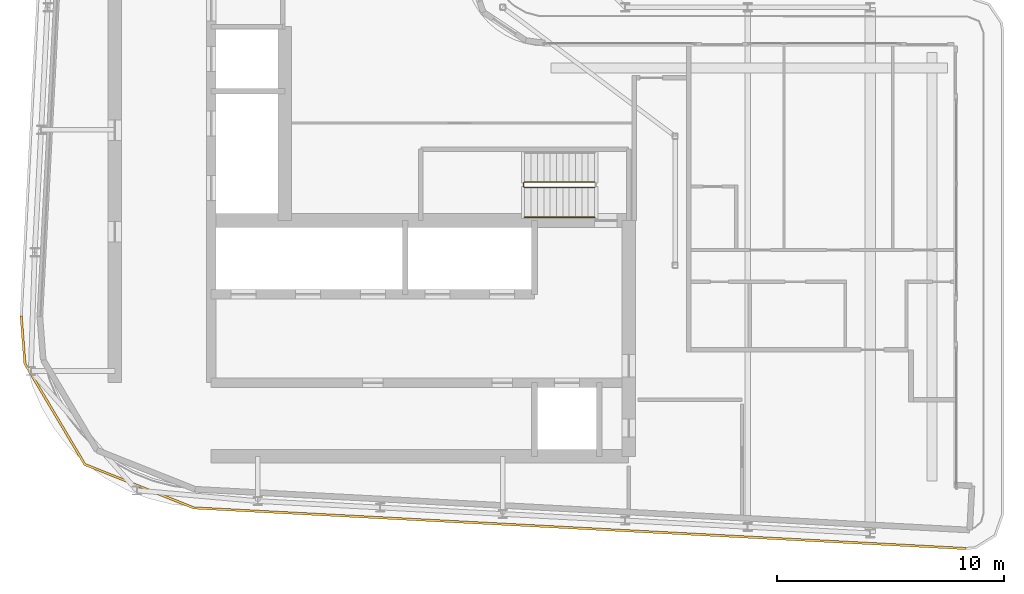
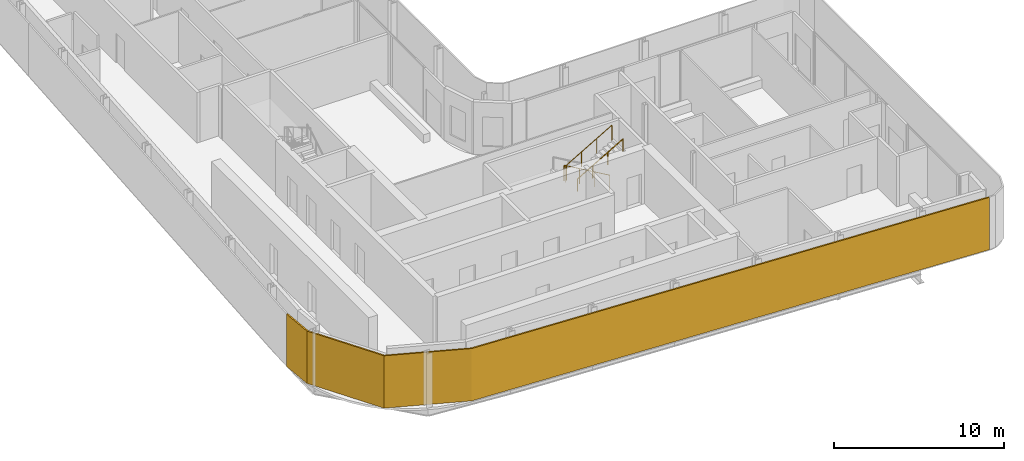
# One storey, part 16 of 21: 2 railings, 1 shading device.
"""IFC4 building model written with IfcOpenShell, lengths in metres."""

import ifcopenshell
import ifcopenshell.guid

model = None  # the IFC model being written
_history = None  # IfcOwnerHistory: only IFC2X3 demands one
_inside = {}  # id of a spatial element -> (the spatial element, [elements in it])
_under = {}  # id of a project, library or spatial element -> (it, [spatial elements below it])
_declared = {}  # id of a project -> (the project, [libraries it declares])
_typed = {}  # id of a type object -> (the type object, [elements of that type])
_made_of = {}  # id of a material, layer set ... -> (it, [elements and type objects made of it])


def new_model(schema):
    """Start an empty IFC model of exactly this schema.

    Asked for "IFC4X3", IfcOpenShell would pick the latest addendum, in which some entities
    have other attributes; the version numbers below select the first issue.
    IFC2X3 requires an IfcOwnerHistory on every rooted entity: one is made here for all.
    """
    global model, _history
    if schema == "IFC4X3":
        model = ifcopenshell.file(schema_version=(4, 3, 0, 0))
    else:
        model = ifcopenshell.file(schema=schema)
    _inside.clear()
    _under.clear()
    _declared.clear()
    _typed.clear()
    _made_of.clear()
    _history = None
    if model.schema == "IFC2X3":
        org = make("IfcOrganization", Name="unknown")
        user = make(
            "IfcPersonAndOrganization",
            ThePerson=make("IfcPerson", FamilyName="unknown"),
            TheOrganization=org,
        )
        app = make(
            "IfcApplication",
            ApplicationDeveloper=org,
            Version="unknown",
            ApplicationFullName="unknown",
            ApplicationIdentifier="unknown",
        )
        _history = make(
            "IfcOwnerHistory",
            OwningUser=user,
            OwningApplication=app,
            ChangeAction="ADDED",
            CreationDate=0,
        )
    return model


def make(cls, **values):
    """One entity of the class cls with the attributes given. An attribute that is None is left unset."""
    return model.create_entity(
        cls, **{name: value for name, value in values.items() if value is not None}
    )


def rooted(cls, **values):
    """An entity with a GlobalId (a new one), such as an element, a storey or a relation."""
    return make(cls, GlobalId=ifcopenshell.guid.new(), OwnerHistory=_history, **values)


def si_unit(unit_type, name, prefix=None):
    """IfcSIUnit, for example si_unit("LENGTHUNIT", "METRE", prefix="MILLI")."""
    return make("IfcSIUnit", UnitType=unit_type, Prefix=prefix, Name=name)


def assignment(units):
    """IfcUnitAssignment: the units of a project."""
    return None if units is None else make("IfcUnitAssignment", Units=units)


def point(xyz):
    """IfcCartesianPoint."""
    return None if xyz is None else make("IfcCartesianPoint", Coordinates=xyz)


def direction(xyz):
    """IfcDirection."""
    return None if xyz is None else make("IfcDirection", DirectionRatios=xyz)


def frame(location, z_axis=None, x_axis=None):
    """IfcAxis2Placement3D, a coordinate frame: its origin and axes. An axis left out is left unset."""
    return make(
        "IfcAxis2Placement3D",
        Location=point(location),
        Axis=direction(z_axis),
        RefDirection=direction(x_axis),
    )


def frame_2d(location, x_axis=None):
    """IfcAxis2Placement2D, a coordinate frame in the plane: its origin and x axis."""
    return make(
        "IfcAxis2Placement2D", Location=point(location), RefDirection=direction(x_axis)
    )


def origin():
    """The frame at (0, 0, 0) with its axes left unset."""
    return frame((0.0, 0.0, 0.0))


def origin_2d():
    """The frame at (0, 0) in the plane with its x axis left unset."""
    return frame_2d((0.0, 0.0))


def place(relative_to, where):
    """IfcLocalPlacement: puts the frame where relative to a parent placement (None: the world)."""
    return make(
        "IfcLocalPlacement", PlacementRelTo=relative_to, RelativePlacement=where
    )


def context(
    kind, dimensions, precision=None, world=None, true_north=None, identifier=None
):
    """IfcGeometricRepresentationContext, for example the 3D "Model" context."""
    return make(
        "IfcGeometricRepresentationContext",
        ContextIdentifier=identifier,
        ContextType=kind,
        CoordinateSpaceDimension=dimensions,
        Precision=precision,
        WorldCoordinateSystem=world,
        TrueNorth=true_north,
    )


def subcontext(parent, identifier, kind, view, scale=None):
    """IfcGeometricRepresentationSubContext, for example "Body" below "Model"."""
    return make(
        "IfcGeometricRepresentationSubContext",
        ContextIdentifier=identifier,
        ContextType=kind,
        ParentContext=parent,
        TargetScale=scale,
        TargetView=view,
    )


def project(units=None, contexts=None):
    """IfcProject with its units and contexts."""
    return rooted(
        "IfcProject",
        Name="project",
        RepresentationContexts=contexts,
        UnitsInContext=assignment(units),
    )


def spatial(cls, under=None, at=None, **own):
    """A site, building, storey or space (cls), placed at a placement, below another one or the project."""
    s = rooted(cls, ObjectPlacement=at, **own)
    if under is not None:
        _under.setdefault(under.id(), (under, []))[1].append(s)
    return s


def polyline(points):
    """IfcPolyline through the points."""
    return make("IfcPolyline", Points=[point(p) for p in points])


def profile(cls, at=None, kind="AREA", **sizes):
    """A parametric profile (cls). Its sizes go by their IFC names, for example OverallWidth=200.0."""
    return make(cls, ProfileType=kind, Position=at, **sizes)


def circle(**sizes):
    """IfcCircleProfileDef."""
    return profile("IfcCircleProfileDef", **sizes)


def outline(outer, holes=None, kind="AREA"):
    """IfcArbitraryClosedProfileDef: a profile drawn as a closed curve; with holes, ...WithVoids."""
    if holes is None:
        return make("IfcArbitraryClosedProfileDef", ProfileType=kind, OuterCurve=outer)
    return make(
        "IfcArbitraryProfileDefWithVoids",
        ProfileType=kind,
        OuterCurve=outer,
        InnerCurves=holes,
    )


def extrude(swept, where, along, depth):
    """IfcExtrudedAreaSolid: the profile swept, set in the frame where, extruded along a direction by depth."""
    return make(
        "IfcExtrudedAreaSolid",
        SweptArea=swept,
        Position=where,
        ExtrudedDirection=direction(along),
        Depth=depth,
    )


def shape(context_of_items, identifier, shape_type, items):
    """IfcShapeRepresentation: the items that make up one representation, for example the "Body"."""
    return make(
        "IfcShapeRepresentation",
        ContextOfItems=context_of_items,
        RepresentationIdentifier=identifier,
        RepresentationType=shape_type,
        Items=items,
    )


def material(Name=None, Category=None):
    """IfcMaterial."""
    return make("IfcMaterial", Name=Name, Category=Category)


def layer(
    of_material, thickness, ventilated=None, Name=None, Category=None, Priority=None
):
    """IfcMaterialLayer: one layer of a wall or slab, of a material (None: an air gap)."""
    return make(
        "IfcMaterialLayer",
        Material=of_material,
        LayerThickness=thickness,
        IsVentilated=ventilated,
        Name=Name,
        Category=Category,
        Priority=Priority,
    )


def layer_set(layers, Name=None):
    """IfcMaterialLayerSet."""
    return make("IfcMaterialLayerSet", MaterialLayers=layers, LayerSetName=Name)


def made_of(thing, what):
    """Note that an element or type object is made of a material, layer set ...; save() writes the relation."""
    if what is not None:
        _made_of.setdefault(what.id(), (what, []))[1].append(thing)
    return thing


def type_object(cls, material=None, **own):
    """A type object (cls), such as IfcWallType, which elements share."""
    return made_of(rooted(cls, **own), material)


def element(
    cls,
    number,
    at=None,
    inside=None,
    cuts=None,
    type_object=None,
    material=None,
    context=None,
    identifier="Body",
    shape_type=None,
    held_by="IfcProductDefinitionShape",
    body=None,
    shapes=None,
    **own,
):
    """One element of the class cls, such as IfcWall. Its Tag is "e" and its number.

    at: its placement. inside: the storey or other place that contains it. cuts: it is an
    opening in that element (IfcRelVoidsElement). A single representation is given by context,
    identifier, shape_type and body (its items); several are given by shapes. held_by: the class
    of the entity that holds the representations. save() writes the other relations.
    """
    e = rooted(cls, Tag="e%d" % number, ObjectPlacement=at, **own)
    if body is not None:
        shapes = [shape(context, identifier, shape_type, body)]
    if shapes is not None:
        e.Representation = make(held_by, Representations=shapes)
    if inside is not None:
        _inside.setdefault(inside.id(), (inside, []))[1].append(e)
    if cuts is not None:
        rooted(
            "IfcRelVoidsElement", RelatingBuildingElement=cuts, RelatedOpeningElement=e
        )
    if type_object is not None:
        _typed.setdefault(type_object.id(), (type_object, []))[1].append(e)
    return made_of(e, material)


def aggregate(whole, parts):
    """IfcRelAggregates: a whole, such as a stair, and the parts it consists of."""
    return rooted("IfcRelAggregates", RelatingObject=whole, RelatedObjects=parts)


def save(model, path):
    """Write the relations noted so far, then the file.

    IfcRelAggregates (storeys below a building ...), IfcRelContainedInSpatialStructure (elements
    in a storey), IfcRelDefinesByType, IfcRelAssociatesMaterial and IfcRelDeclares: one each for
    every whole, place, type object, material and project.
    """
    for whole, parts in _under.values():
        aggregate(whole, parts)
    for where, things in _inside.values():
        rooted(
            "IfcRelContainedInSpatialStructure",
            RelatedElements=things,
            RelatingStructure=where,
        )
    for kind, things in _typed.values():
        rooted("IfcRelDefinesByType", RelatedObjects=things, RelatingType=kind)
    for what, things in _made_of.values():
        rooted("IfcRelAssociatesMaterial", RelatedObjects=things, RelatingMaterial=what)
    for by, libraries in _declared.values():
        rooted("IfcRelDeclares", RelatingContext=by, RelatedDefinitions=libraries)
    model.write(path)


model = new_model("IFC4")

# Units and contexts
model_context = context("Model", 3, precision=1e-05, world=origin(), true_north=direction((0.0, 1.0)))
body_context = subcontext(model_context, "Body", "Model", "MODEL_VIEW")
ifc_project = project(units=[si_unit("LENGTHUNIT", "METRE"), si_unit("AREAUNIT", "SQUARE_METRE"), si_unit("VOLUMEUNIT", "CUBIC_METRE"), si_unit("PLANEANGLEUNIT", "RADIAN"), si_unit("MASSUNIT", "GRAM", prefix="KILO")], contexts=[model_context])

# Site, building, storey
site_placement = place(None, origin())
site = spatial("IfcSite", under=ifc_project, at=site_placement, CompositionType="ELEMENT")
building_placement = place(site_placement, origin())
building = spatial("IfcBuilding", under=site, at=building_placement, Name="Kheshtan School and Residences Tower", CompositionType="ELEMENT")
storey_placement = place(building_placement, frame((0.0, 0.0, 321.5)))
storey = spatial("IfcBuildingStorey", under=building, at=storey_placement, Name="L76", CompositionType="ELEMENT", Elevation=321.5)

# Shading device
ifc_material_1 = material(Name="Terracotta baguette, extruded ceramic", Category="masonry")
ifc_layer = layer(ifc_material_1, 0.10009765625)
ifc_layer_set = layer_set([ifc_layer], Name="Ledge screen, terracotta baguettes")
shading_device_type = type_object("IfcShadingDeviceType", Name="Ledge screen, terracotta baguettes", PredefinedType="USERDEFINED", material=ifc_layer_set)
shading_device_placement = place(storey_placement, origin())
element("IfcShadingDevice", 1, at=shading_device_placement, inside=storey, type_object=shading_device_type, Name="Screen L76 3", ObjectType="BAGUETTE", PredefinedType="USERDEFINED", context=body_context, shape_type="SweptSolid", body=[
    extrude(outline(polyline([(68.02099609375, 21.7880859375), (33.989013671875, 23.580078125), (29.2119140625, 25.486083984375), (26.583984375, 29.906982421875), (26.419921875, 31.989013671875), (26.320068359375, 31.98095703125), (26.486083984375, 29.8759765625), (29.14306640625, 25.406005859375), (33.967041015625, 23.48095703125), (68.01611328125, 21.68798828125), (68.02099609375, 21.7880859375)])), origin(), (0.0, 0.0, 1.0), 3.75),
])

# Railings
ifc_material_2 = material(Name="Stainless steel balustrade", Category="steel")
railing_type_1 = type_object("IfcRailingType", Name="Stair guard 1100", PredefinedType="GUARDRAIL", material=ifc_material_2)
railing_1_placement = place(storey_placement, frame((51.64990234375, 37.89990234375, 0.16259765625)))
element("IfcRailing", 2, at=railing_1_placement, inside=storey, type_object=railing_type_1, Name="L76 ST1 stair guard 1", PredefinedType="GUARDRAIL", context=body_context, shape_type="SweptSolid", body=[
    extrude(circle(Radius=0.02392578125, at=origin_2d()), frame((0.0, 0.0, 1.076171875), z_axis=(-0.864903211148, 0.0, 0.501938676878), x_axis=(0.0, -1.0, 0.0)), (0.0, 0.0, 1.0), 3.560791015625),
    extrude(circle(Radius=0.02392578125, at=origin_2d()), frame((-3.079833984375, 0.0, 2.86328125), z_axis=(-0.708833529934, -0.705375805398, 0.0), x_axis=(0.705375805398, -0.708833529934, 0.0)), (0.0, 0.0, 1.0), 0.070556640625),
    extrude(circle(Radius=0.02392578125, at=origin_2d()), frame((-3.1298828125, -0.0498046875, 2.86328125), z_axis=(0.0, -1.0, 0.0), x_axis=(1.0, 0.0, 0.0)), (0.0, 0.0, 1.0), 0.150146484375),
    extrude(circle(Radius=0.02392578125, at=origin_2d()), frame((-3.1298828125, -0.199951171875, 2.86328125), z_axis=(0.282227285176, -0.282227285176, 0.916894497205), x_axis=(0.707106781187, 0.707106781187, 0.0)), (0.0, 0.0, 1.0), 0.17724609375),
    extrude(circle(Radius=0.02392578125, at=origin_2d()), frame((-3.079833984375, -0.25, 3.02587890625), z_axis=(0.864903211148, 0.0, 0.501938676878), x_axis=(0.0, 1.0, 0.0)), (0.0, 0.0, 1.0), 3.560791015625),
    extrude(circle(Radius=0.02099609375, at=origin_2d()), origin(), (0.0, 0.0, 1.0), 1.052001953125),
    extrude(circle(Radius=0.02099609375, at=origin_2d()), frame((-1.026611328125, 0.0, 0.595703125)), (0.0, 0.0, 1.0), 1.052001953125),
    extrude(circle(Radius=0.02099609375, at=origin_2d()), frame((-2.05322265625, 0.0, 1.191650390625)), (0.0, 0.0, 1.0), 1.052001953125),
    extrude(circle(Radius=0.02099609375, at=origin_2d()), frame((-3.079833984375, 0.0, 1.787353515625)), (0.0, 0.0, 1.0), 1.052001953125),
    extrude(circle(Radius=0.02099609375, at=origin_2d()), frame((-3.1298828125, -0.0498046875, 1.787353515625)), (0.0, 0.0, 1.0), 1.052001953125),
    extrude(circle(Radius=0.02099609375, at=origin_2d()), frame((-3.1298828125, -0.199951171875, 1.787353515625)), (0.0, 0.0, 1.0), 1.052001953125),
    extrude(circle(Radius=0.02099609375, at=origin_2d()), frame((-3.079833984375, -0.25, 1.949951171875)), (0.0, 0.0, 1.0), 1.052001953125),
    extrude(circle(Radius=0.02099609375, at=origin_2d()), frame((-2.05322265625, -0.25, 2.545654296875)), (0.0, 0.0, 1.0), 1.052001953125),
    extrude(circle(Radius=0.02099609375, at=origin_2d()), frame((-1.026611328125, -0.25, 3.1416015625)), (0.0, 0.0, 1.0), 1.052001953125),
    extrude(circle(Radius=0.02099609375, at=origin_2d()), frame((0.0, -0.25, 3.7373046875)), (0.0, 0.0, 1.0), 1.052001953125),
])
ifc_material_3 = material(Name="Stainless steel handrail", Category="steel")
railing_type_2 = type_object("IfcRailingType", Name="Stair handrail 900", PredefinedType="HANDRAIL", material=ifc_material_3)
railing_2_placement = place(storey_placement, frame((48.570068359375, 36.35009765625, 2.112548828125)))
element("IfcRailing", 3, at=railing_2_placement, inside=storey, type_object=railing_type_2, Name="L76 ST1 stair handrail 2", PredefinedType="HANDRAIL", context=body_context, shape_type="SweptSolid", body=[
    extrude(circle(Radius=0.02392578125, at=origin_2d()), frame((0.0, 0.0, 0.8759765625), z_axis=(0.864903211148, 0.0, 0.501938676878), x_axis=(0.0, 1.0, 0.0)), (0.0, 0.0, 1.0), 3.560791015625),
    extrude(circle(Radius=0.02099609375, at=origin_2d()), origin(), (0.0, 0.0, 1.0), 0.851806640625),
    extrude(circle(Radius=0.02099609375, at=origin_2d()), frame((1.026611328125, 0.0, 0.595703125)), (0.0, 0.0, 1.0), 0.851806640625),
    extrude(circle(Radius=0.02099609375, at=origin_2d()), frame((2.05322265625, 0.0, 1.191650390625)), (0.0, 0.0, 1.0), 0.851806640625),
    extrude(circle(Radius=0.02099609375, at=origin_2d()), frame((3.079833984375, 0.0, 1.787353515625)), (0.0, 0.0, 1.0), 0.851806640625),
])

save(model, "model.ifc")
